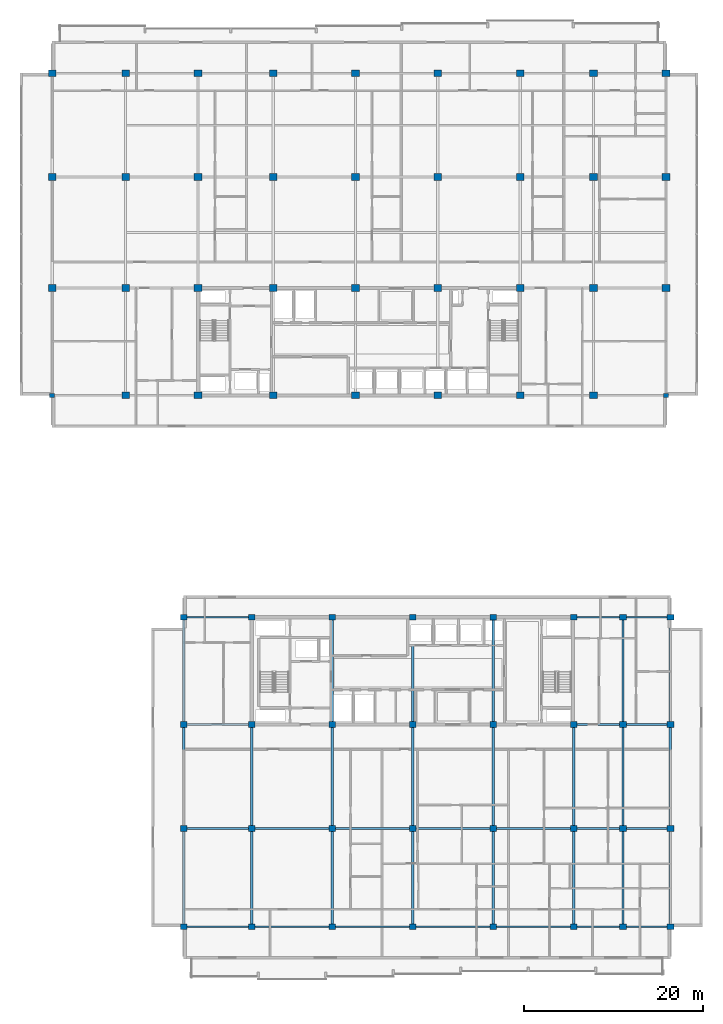
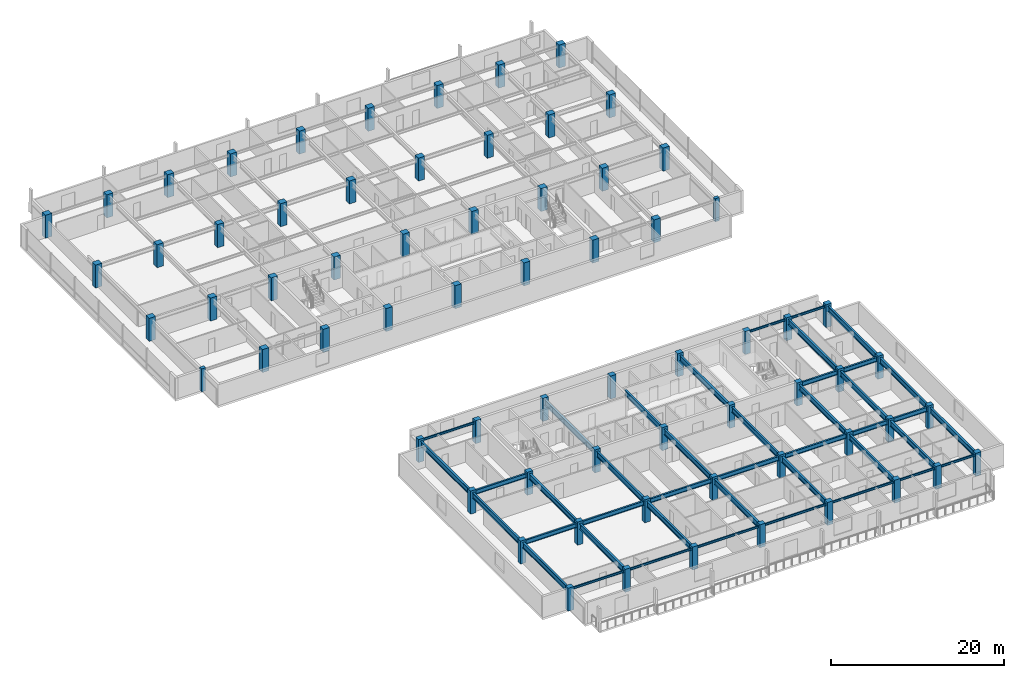
# One storey, part 1 of 32: 68 columns, 42 beams.
"""IFC4 building model written with IfcOpenShell, lengths in metres."""

from ifc_helpers import new_model, si_unit, direction, frame, origin, origin_2d, place, context, subcontext, project, spatial, rectangle, i_section, extrude, material, material_profile, profile_set, type_object, element, save


model = new_model("IFC4")

# Units and contexts
model_context = context("Model", 3, precision=1e-05, world=origin(), true_north=direction((0.0, 1.0)))
body_context = subcontext(model_context, "Body", "Model", "MODEL_VIEW")
ifc_project = project(units=[si_unit("LENGTHUNIT", "METRE"), si_unit("AREAUNIT", "SQUARE_METRE"), si_unit("VOLUMEUNIT", "CUBIC_METRE"), si_unit("PLANEANGLEUNIT", "RADIAN"), si_unit("MASSUNIT", "GRAM", prefix="KILO")], contexts=[model_context])

# Site, building, storey
site_placement = place(None, origin())
site = spatial("IfcSite", under=ifc_project, at=site_placement, CompositionType="ELEMENT")
building_placement = place(site_placement, origin())
building = spatial("IfcBuilding", under=site, at=building_placement, Name="Korimba Cascade Residences", CompositionType="ELEMENT")
storey_placement = place(building_placement, frame((0.0, 0.0, 178.35009765625)))
storey = spatial("IfcBuildingStorey", under=building, at=storey_placement, Name="L51", CompositionType="ELEMENT", Elevation=178.35009765625)

# Columns
ifc_material_1 = material(Name="Concrete C65/80", Category="concrete")
ifc_material_profile_1 = material_profile(ifc_material_1, rectangle(XDim=0.550048828125, YDim=0.449951171875, at=origin_2d()), Name="Concrete C65/80")
ifc_profile_set_1 = profile_set([ifc_material_profile_1], Name="Concrete C65/80")
column_type_1 = type_object("IfcColumnType", Name="COL-PIL-550", PredefinedType="PILASTER", material=ifc_profile_set_1)
for number, where, z_axis, x_axis, name in (
    (1, (59.800048828125, 55.199951171875, 0.0), (0.0, 0.0, 1.0), (1.0, 0.0, 0.0), "L51 Tower 1 Column 1.1"),
    (2, (128.39990234375, 55.199951171875, 0.0), (0.0, 0.0, 1.0), (1.0, 0.0, 0.0), "L51 Tower 1 Column 9.1"),
):
    element("IfcColumn", number, at=place(storey_placement, frame(where, z_axis=z_axis, x_axis=x_axis)), inside=storey, type_object=column_type_1, Name=name, PredefinedType="PILASTER", context=body_context, shape_type="SweptSolid", body=[
        extrude(rectangle(XDim=0.550048828125, YDim=0.449951171875, at=origin_2d()), origin(), (0.0, 0.0, 1.0), 3.25),
    ])
ifc_material_2 = material(Name="Concrete C50/60", Category="concrete")
ifc_material_profile_2 = material_profile(ifc_material_2, rectangle(XDim=0.75, YDim=0.64990234375, at=origin_2d()), Name="Concrete C50/60")
ifc_profile_set_2 = profile_set([ifc_material_profile_2], Name="Concrete C50/60")
column_type_2 = type_object("IfcColumnType", Name="COL-RC-750", PredefinedType="COLUMN", material=ifc_profile_set_2)
for number, where, z_axis, x_axis, name in (
    (3, (74.5, -4.199951171875, 0.0), (0.0, 0.0, 1.0), (1.0, 0.0, 0.0), "L51 Tower 2 Column 1.1"),
    (4, (74.5, 6.800048828125, 0.0), (0.0, 0.0, 1.0), (1.0, 0.0, 0.0), "L51 Tower 2 Column 1.2"),
    (5, (74.5, 18.39990234375, 0.0), (0.0, 0.0, 1.0), (1.0, 0.0, 0.0), "L51 Tower 2 Column 1.3"),
    (6, (74.5, 30.39990234375, 0.0), (0.0, 0.0, 1.0), (1.0, 0.0, 0.0), "L51 Tower 2 Column 1.4"),
    (7, (82.10009765625, -4.199951171875, 0.0), (0.0, 0.0, 1.0), (1.0, 0.0, 0.0), "L51 Tower 2 Column 2.1"),
    (8, (82.10009765625, 6.800048828125, 0.0), (0.0, 0.0, 1.0), (1.0, 0.0, 0.0), "L51 Tower 2 Column 2.2"),
    (9, (82.10009765625, 18.39990234375, 0.0), (0.0, 0.0, 1.0), (1.0, 0.0, 0.0), "L51 Tower 2 Column 2.3"),
    (10, (82.10009765625, 30.39990234375, 0.0), (0.0, 0.0, 1.0), (1.0, 0.0, 0.0), "L51 Tower 2 Column 2.4"),
    (11, (91.10009765625, -4.199951171875, 0.0), (0.0, 0.0, 1.0), (1.0, 0.0, 0.0), "L51 Tower 2 Column 3.1"),
    (12, (91.10009765625, 6.800048828125, 0.0), (0.0, 0.0, 1.0), (1.0, 0.0, 0.0), "L51 Tower 2 Column 3.2"),
    (13, (91.10009765625, 18.39990234375, 0.0), (0.0, 0.0, 1.0), (1.0, 0.0, 0.0), "L51 Tower 2 Column 3.3"),
    (14, (91.10009765625, 30.39990234375, 0.0), (0.0, 0.0, 1.0), (1.0, 0.0, 0.0), "L51 Tower 2 Column 3.4"),
    (15, (100.10009765625, -4.199951171875, 0.0), (0.0, 0.0, 1.0), (1.0, 0.0, 0.0), "L51 Tower 2 Column 4.1"),
    (16, (100.10009765625, 6.800048828125, 0.0), (0.0, 0.0, 1.0), (1.0, 0.0, 0.0), "L51 Tower 2 Column 4.2"),
    (17, (100.10009765625, 18.39990234375, 0.0), (0.0, 0.0, 1.0), (1.0, 0.0, 0.0), "L51 Tower 2 Column 4.3"),
    (18, (100.10009765625, 30.39990234375, 0.0), (0.0, 0.0, 1.0), (1.0, 0.0, 0.0), "L51 Tower 2 Column 4.4"),
    (19, (109.10009765625, -4.199951171875, 0.0), (0.0, 0.0, 1.0), (1.0, 0.0, 0.0), "L51 Tower 2 Column 5.1"),
    (20, (109.10009765625, 6.800048828125, 0.0), (0.0, 0.0, 1.0), (1.0, 0.0, 0.0), "L51 Tower 2 Column 5.2"),
    (21, (109.10009765625, 18.39990234375, 0.0), (0.0, 0.0, 1.0), (1.0, 0.0, 0.0), "L51 Tower 2 Column 5.3"),
    (22, (109.10009765625, 30.39990234375, 0.0), (0.0, 0.0, 1.0), (1.0, 0.0, 0.0), "L51 Tower 2 Column 5.4"),
    (23, (118.10009765625, -4.199951171875, 0.0), (0.0, 0.0, 1.0), (1.0, 0.0, 0.0), "L51 Tower 2 Column 6.1"),
    (24, (118.10009765625, 6.800048828125, 0.0), (0.0, 0.0, 1.0), (1.0, 0.0, 0.0), "L51 Tower 2 Column 6.2"),
    (25, (118.10009765625, 18.39990234375, 0.0), (0.0, 0.0, 1.0), (1.0, 0.0, 0.0), "L51 Tower 2 Column 6.3"),
    (26, (118.10009765625, 30.39990234375, 0.0), (0.0, 0.0, 1.0), (1.0, 0.0, 0.0), "L51 Tower 2 Column 6.4"),
    (27, (123.60009765625, -4.199951171875, 0.0), (0.0, 0.0, 1.0), (1.0, 0.0, 0.0), "L51 Tower 2 Column 7.1"),
    (28, (123.60009765625, 6.800048828125, 0.0), (0.0, 0.0, 1.0), (1.0, 0.0, 0.0), "L51 Tower 2 Column 7.2"),
    (29, (123.60009765625, 18.39990234375, 0.0), (0.0, 0.0, 1.0), (1.0, 0.0, 0.0), "L51 Tower 2 Column 7.3"),
    (30, (123.60009765625, 30.39990234375, 0.0), (0.0, 0.0, 1.0), (1.0, 0.0, 0.0), "L51 Tower 2 Column 7.4"),
    (31, (128.89990234375, -4.199951171875, 0.0), (0.0, 0.0, 1.0), (1.0, 0.0, 0.0), "L51 Tower 2 Column 8.1"),
    (32, (128.89990234375, 6.800048828125, 0.0), (0.0, 0.0, 1.0), (1.0, 0.0, 0.0), "L51 Tower 2 Column 8.2"),
    (33, (128.89990234375, 18.39990234375, 0.0), (0.0, 0.0, 1.0), (1.0, 0.0, 0.0), "L51 Tower 2 Column 8.3"),
    (34, (128.89990234375, 30.39990234375, 0.0), (0.0, 0.0, 1.0), (1.0, 0.0, 0.0), "L51 Tower 2 Column 8.4"),
):
    element("IfcColumn", number, at=place(storey_placement, frame(where, z_axis=z_axis, x_axis=x_axis)), inside=storey, type_object=column_type_2, Name=name, PredefinedType="COLUMN", context=body_context, shape_type="SweptSolid", body=[
        extrude(rectangle(XDim=0.75, YDim=0.64990234375, at=origin_2d()), origin(), (0.0, 0.0, 1.0), 3.25),
    ])
ifc_material_profile_3 = material_profile(ifc_material_1, rectangle(XDim=0.85009765625, YDim=0.75, at=origin_2d()), Name="Concrete C65/80")
ifc_profile_set_3 = profile_set([ifc_material_profile_3], Name="Concrete C65/80")
column_type_3 = type_object("IfcColumnType", Name="COL-RC-850", PredefinedType="COLUMN", material=ifc_profile_set_3)
for number, where, z_axis, x_axis, name in (
    (35, (59.800048828125, 67.199951171875, 0.0), (0.0, 0.0, 1.0), (1.0, 0.0, 0.0), "L51 Tower 1 Column 1.2"),
    (36, (59.800048828125, 79.60009765625, 0.0), (0.0, 0.0, 1.0), (1.0, 0.0, 0.0), "L51 Tower 1 Column 1.3"),
    (37, (59.800048828125, 91.199951171875, 0.0), (0.0, 0.0, 1.0), (1.0, 0.0, 0.0), "L51 Tower 1 Column 1.4"),
    (38, (68.0, 55.199951171875, 0.0), (0.0, 0.0, 1.0), (1.0, 0.0, 0.0), "L51 Tower 1 Column 2.1"),
    (39, (68.0, 67.199951171875, 0.0), (0.0, 0.0, 1.0), (1.0, 0.0, 0.0), "L51 Tower 1 Column 2.2"),
    (40, (68.0, 79.60009765625, 0.0), (0.0, 0.0, 1.0), (1.0, 0.0, 0.0), "L51 Tower 1 Column 2.3"),
    (41, (68.0, 91.199951171875, 0.0), (0.0, 0.0, 1.0), (1.0, 0.0, 0.0), "L51 Tower 1 Column 2.4"),
    (42, (76.10009765625, 55.199951171875, 0.0), (0.0, 0.0, 1.0), (1.0, 0.0, 0.0), "L51 Tower 1 Column 3.1"),
    (43, (76.10009765625, 67.199951171875, 0.0), (0.0, 0.0, 1.0), (1.0, 0.0, 0.0), "L51 Tower 1 Column 3.2"),
    (44, (76.10009765625, 79.60009765625, 0.0), (0.0, 0.0, 1.0), (1.0, 0.0, 0.0), "L51 Tower 1 Column 3.3"),
    (45, (76.10009765625, 91.199951171875, 0.0), (0.0, 0.0, 1.0), (1.0, 0.0, 0.0), "L51 Tower 1 Column 3.4"),
    (46, (84.5, 55.199951171875, 0.0), (0.0, 0.0, 1.0), (1.0, 0.0, 0.0), "L51 Tower 1 Column 4.1"),
    (47, (84.5, 67.199951171875, 0.0), (0.0, 0.0, 1.0), (1.0, 0.0, 0.0), "L51 Tower 1 Column 4.2"),
    (48, (84.5, 79.60009765625, 0.0), (0.0, 0.0, 1.0), (1.0, 0.0, 0.0), "L51 Tower 1 Column 4.3"),
    (49, (84.5, 91.199951171875, 0.0), (0.0, 0.0, 1.0), (1.0, 0.0, 0.0), "L51 Tower 1 Column 4.4"),
    (50, (93.699951171875, 55.199951171875, 0.0), (0.0, 0.0, 1.0), (1.0, 0.0, 0.0), "L51 Tower 1 Column 5.1"),
    (51, (93.699951171875, 67.199951171875, 0.0), (0.0, 0.0, 1.0), (1.0, 0.0, 0.0), "L51 Tower 1 Column 5.2"),
    (52, (93.699951171875, 79.60009765625, 0.0), (0.0, 0.0, 1.0), (1.0, 0.0, 0.0), "L51 Tower 1 Column 5.3"),
    (53, (93.699951171875, 91.199951171875, 0.0), (0.0, 0.0, 1.0), (1.0, 0.0, 0.0), "L51 Tower 1 Column 5.4"),
    (54, (102.89990234375, 55.199951171875, 0.0), (0.0, 0.0, 1.0), (1.0, 0.0, 0.0), "L51 Tower 1 Column 6.1"),
    (55, (102.89990234375, 67.199951171875, 0.0), (0.0, 0.0, 1.0), (1.0, 0.0, 0.0), "L51 Tower 1 Column 6.2"),
    (56, (102.89990234375, 79.60009765625, 0.0), (0.0, 0.0, 1.0), (1.0, 0.0, 0.0), "L51 Tower 1 Column 6.3"),
    (57, (102.89990234375, 91.199951171875, 0.0), (0.0, 0.0, 1.0), (1.0, 0.0, 0.0), "L51 Tower 1 Column 6.4"),
    (58, (112.10009765625, 55.199951171875, 0.0), (0.0, 0.0, 1.0), (1.0, 0.0, 0.0), "L51 Tower 1 Column 7.1"),
    (59, (112.10009765625, 67.199951171875, 0.0), (0.0, 0.0, 1.0), (1.0, 0.0, 0.0), "L51 Tower 1 Column 7.2"),
    (60, (112.10009765625, 79.60009765625, 0.0), (0.0, 0.0, 1.0), (1.0, 0.0, 0.0), "L51 Tower 1 Column 7.3"),
    (61, (112.10009765625, 91.199951171875, 0.0), (0.0, 0.0, 1.0), (1.0, 0.0, 0.0), "L51 Tower 1 Column 7.4"),
    (62, (120.300048828125, 55.199951171875, 0.0), (0.0, 0.0, 1.0), (1.0, 0.0, 0.0), "L51 Tower 1 Column 8.1"),
    (63, (120.300048828125, 67.199951171875, 0.0), (0.0, 0.0, 1.0), (1.0, 0.0, 0.0), "L51 Tower 1 Column 8.2"),
    (64, (120.300048828125, 79.60009765625, 0.0), (0.0, 0.0, 1.0), (1.0, 0.0, 0.0), "L51 Tower 1 Column 8.3"),
    (65, (120.300048828125, 91.199951171875, 0.0), (0.0, 0.0, 1.0), (1.0, 0.0, 0.0), "L51 Tower 1 Column 8.4"),
    (66, (128.39990234375, 67.199951171875, 0.0), (0.0, 0.0, 1.0), (1.0, 0.0, 0.0), "L51 Tower 1 Column 9.2"),
    (67, (128.39990234375, 79.60009765625, 0.0), (0.0, 0.0, 1.0), (1.0, 0.0, 0.0), "L51 Tower 1 Column 9.3"),
    (68, (128.39990234375, 91.199951171875, 0.0), (0.0, 0.0, 1.0), (1.0, 0.0, 0.0), "L51 Tower 1 Column 9.4"),
):
    element("IfcColumn", number, at=place(storey_placement, frame(where, z_axis=z_axis, x_axis=x_axis)), inside=storey, type_object=column_type_3, Name=name, PredefinedType="COLUMN", context=body_context, shape_type="SweptSolid", body=[
        extrude(rectangle(XDim=0.85009765625, YDim=0.75, at=origin_2d()), origin(), (0.0, 0.0, 1.0), 3.25),
    ])

# Beams
ifc_material_3 = material(Name="Steel S355", Category="steel")
ifc_material_profile_4 = material_profile(ifc_material_3, i_section(OverallWidth=0.165771484375, OverallDepth=0.306640625, WebThickness=0.006591796875, FlangeThickness=0.01171875, FilletRadius=0.0087890625, at=origin_2d()), Name="Steel S355")
ifc_profile_set_4 = profile_set([ifc_material_profile_4], Name="Steel S355")
beam_type_1 = type_object("IfcBeamType", Name="BM-STL-UB305", PredefinedType="SPANDREL", material=ifc_profile_set_4)
beam_1_placement = place(storey_placement, frame((74.875, -4.199951171875, 2.816650390625), z_axis=(1.0, 0.0, 0.0), x_axis=(0.0, 1.0, 0.0)))
element("IfcBeam", 69, at=beam_1_placement, inside=storey, type_object=beam_type_1, Name="L51 T2 E-W Girder Y1 Bay 1", PredefinedType="SPANDREL", context=body_context, shape_type="SweptSolid", body=[
    extrude(i_section(OverallWidth=0.165771484375, OverallDepth=0.306640625, WebThickness=0.006591796875, FlangeThickness=0.01171875, FilletRadius=0.0087890625, at=origin_2d()), origin(), (0.0, 0.0, 1.0), 6.85009765625),
])
for number, where, z_axis, x_axis, name in (
    (70, (82.47509765625, -4.199951171875, 2.816650390625), (1.0, 0.0, 0.0), (0.0, 1.0, 0.0), "L51 T2 E-W Girder Y1 Bay 2"),
    (71, (91.47509765625, -4.199951171875, 2.816650390625), (1.0, 0.0, 0.0), (0.0, 1.0, 0.0), "L51 T2 E-W Girder Y1 Bay 3"),
    (72, (100.47509765625, -4.199951171875, 2.816650390625), (1.0, 0.0, 0.0), (0.0, 1.0, 0.0), "L51 T2 E-W Girder Y1 Bay 4"),
    (73, (109.47509765625, -4.199951171875, 2.816650390625), (1.0, 0.0, 0.0), (0.0, 1.0, 0.0), "L51 T2 E-W Girder Y1 Bay 5"),
):
    element("IfcBeam", number, at=place(storey_placement, frame(where, z_axis=z_axis, x_axis=x_axis)), inside=storey, type_object=beam_type_1, Name=name, PredefinedType="SPANDREL", context=body_context, shape_type="SweptSolid", body=[
        extrude(i_section(OverallWidth=0.165771484375, OverallDepth=0.306640625, WebThickness=0.006591796875, FlangeThickness=0.01171875, FilletRadius=0.0087890625, at=origin_2d()), origin(), (0.0, 0.0, 1.0), 8.25),
    ])
beam_2_placement = place(storey_placement, frame((118.47509765625, -4.199951171875, 2.816650390625), z_axis=(1.0, 0.0, 0.0), x_axis=(0.0, 1.0, 0.0)))
element("IfcBeam", 74, at=beam_2_placement, inside=storey, type_object=beam_type_1, Name="L51 T2 E-W Girder Y1 Bay 6", PredefinedType="SPANDREL", context=body_context, shape_type="SweptSolid", body=[
    extrude(i_section(OverallWidth=0.165771484375, OverallDepth=0.306640625, WebThickness=0.006591796875, FlangeThickness=0.01171875, FilletRadius=0.0087890625, at=origin_2d()), origin(), (0.0, 0.0, 1.0), 4.75),
])
beam_3_placement = place(storey_placement, frame((123.97509765625, -4.199951171875, 2.816650390625), z_axis=(1.0, 0.0, 0.0), x_axis=(0.0, 1.0, 0.0)))
element("IfcBeam", 75, at=beam_3_placement, inside=storey, type_object=beam_type_1, Name="L51 T2 E-W Girder Y1 Bay 7", PredefinedType="SPANDREL", context=body_context, shape_type="SweptSolid", body=[
    extrude(i_section(OverallWidth=0.165771484375, OverallDepth=0.306640625, WebThickness=0.006591796875, FlangeThickness=0.01171875, FilletRadius=0.0087890625, at=origin_2d()), origin(), (0.0, 0.0, 1.0), 4.5498046875),
])
beam_4_placement = place(storey_placement, frame((74.875, 30.39990234375, 2.816650390625), z_axis=(1.0, 0.0, 0.0), x_axis=(0.0, 1.0, 0.0)))
element("IfcBeam", 76, at=beam_4_placement, inside=storey, type_object=beam_type_1, Name="L51 T2 E-W Girder Y4 Bay 1", PredefinedType="SPANDREL", context=body_context, shape_type="SweptSolid", body=[
    extrude(i_section(OverallWidth=0.165771484375, OverallDepth=0.306640625, WebThickness=0.006591796875, FlangeThickness=0.01171875, FilletRadius=0.0087890625, at=origin_2d()), origin(), (0.0, 0.0, 1.0), 6.85009765625),
])
beam_5_placement = place(storey_placement, frame((118.47509765625, 30.39990234375, 2.816650390625), z_axis=(1.0, 0.0, 0.0), x_axis=(0.0, 1.0, 0.0)))
element("IfcBeam", 77, at=beam_5_placement, inside=storey, type_object=beam_type_1, Name="L51 T2 E-W Girder Y4 Bay 6", PredefinedType="SPANDREL", context=body_context, shape_type="SweptSolid", body=[
    extrude(i_section(OverallWidth=0.165771484375, OverallDepth=0.306640625, WebThickness=0.006591796875, FlangeThickness=0.01171875, FilletRadius=0.0087890625, at=origin_2d()), origin(), (0.0, 0.0, 1.0), 4.75),
])
beam_6_placement = place(storey_placement, frame((123.97509765625, 30.39990234375, 2.816650390625), z_axis=(1.0, 0.0, 0.0), x_axis=(0.0, 1.0, 0.0)))
element("IfcBeam", 78, at=beam_6_placement, inside=storey, type_object=beam_type_1, Name="L51 T2 E-W Girder Y4 Bay 7", PredefinedType="SPANDREL", context=body_context, shape_type="SweptSolid", body=[
    extrude(i_section(OverallWidth=0.165771484375, OverallDepth=0.306640625, WebThickness=0.006591796875, FlangeThickness=0.01171875, FilletRadius=0.0087890625, at=origin_2d()), origin(), (0.0, 0.0, 1.0), 4.5498046875),
])
ifc_material_profile_5 = material_profile(ifc_material_3, i_section(OverallWidth=0.22900390625, OverallDepth=0.6123046875, WebThickness=0.011962890625, FlangeThickness=0.01953125, FilletRadius=0.0126953125, at=origin_2d()), Name="Steel S355")
ifc_profile_set_5 = profile_set([ifc_material_profile_5], Name="Steel S355")
beam_type_2 = type_object("IfcBeamType", Name="BM-STL-UB610B", PredefinedType="BEAM", material=ifc_profile_set_5)
beam_7_placement = place(storey_placement, frame((74.875, 6.800048828125, 2.663818359375), z_axis=(1.0, 0.0, 0.0), x_axis=(0.0, 1.0, 0.0)))
element("IfcBeam", 79, at=beam_7_placement, inside=storey, type_object=beam_type_2, Name="L51 T2 E-W Girder Y2 Bay 1", PredefinedType="BEAM", context=body_context, shape_type="SweptSolid", body=[
    extrude(i_section(OverallWidth=0.22900390625, OverallDepth=0.6123046875, WebThickness=0.011962890625, FlangeThickness=0.01953125, FilletRadius=0.0126953125, at=origin_2d()), origin(), (0.0, 0.0, 1.0), 6.85009765625),
])
for number, where, z_axis, x_axis, name in (
    (80, (82.47509765625, 6.800048828125, 2.663818359375), (1.0, 0.0, 0.0), (0.0, 1.0, 0.0), "L51 T2 E-W Girder Y2 Bay 2"),
    (81, (91.47509765625, 6.800048828125, 2.663818359375), (1.0, 0.0, 0.0), (0.0, 1.0, 0.0), "L51 T2 E-W Girder Y2 Bay 3"),
    (82, (100.47509765625, 6.800048828125, 2.663818359375), (1.0, 0.0, 0.0), (0.0, 1.0, 0.0), "L51 T2 E-W Girder Y2 Bay 4"),
    (83, (109.47509765625, 6.800048828125, 2.663818359375), (1.0, 0.0, 0.0), (0.0, 1.0, 0.0), "L51 T2 E-W Girder Y2 Bay 5"),
):
    element("IfcBeam", number, at=place(storey_placement, frame(where, z_axis=z_axis, x_axis=x_axis)), inside=storey, type_object=beam_type_2, Name=name, PredefinedType="BEAM", context=body_context, shape_type="SweptSolid", body=[
        extrude(i_section(OverallWidth=0.22900390625, OverallDepth=0.6123046875, WebThickness=0.011962890625, FlangeThickness=0.01953125, FilletRadius=0.0126953125, at=origin_2d()), origin(), (0.0, 0.0, 1.0), 8.25),
    ])
beam_8_placement = place(storey_placement, frame((118.47509765625, 6.800048828125, 2.663818359375), z_axis=(1.0, 0.0, 0.0), x_axis=(0.0, 1.0, 0.0)))
element("IfcBeam", 84, at=beam_8_placement, inside=storey, type_object=beam_type_2, Name="L51 T2 E-W Girder Y2 Bay 6", PredefinedType="BEAM", context=body_context, shape_type="SweptSolid", body=[
    extrude(i_section(OverallWidth=0.22900390625, OverallDepth=0.6123046875, WebThickness=0.011962890625, FlangeThickness=0.01953125, FilletRadius=0.0126953125, at=origin_2d()), origin(), (0.0, 0.0, 1.0), 4.75),
])
beam_9_placement = place(storey_placement, frame((123.97509765625, 6.800048828125, 2.663818359375), z_axis=(1.0, 0.0, 0.0), x_axis=(0.0, 1.0, 0.0)))
element("IfcBeam", 85, at=beam_9_placement, inside=storey, type_object=beam_type_2, Name="L51 T2 E-W Girder Y2 Bay 7", PredefinedType="BEAM", context=body_context, shape_type="SweptSolid", body=[
    extrude(i_section(OverallWidth=0.22900390625, OverallDepth=0.6123046875, WebThickness=0.011962890625, FlangeThickness=0.01953125, FilletRadius=0.0126953125, at=origin_2d()), origin(), (0.0, 0.0, 1.0), 4.5498046875),
])
beam_10_placement = place(storey_placement, frame((74.875, 18.39990234375, 2.663818359375), z_axis=(1.0, 0.0, 0.0), x_axis=(0.0, 1.0, 0.0)))
element("IfcBeam", 86, at=beam_10_placement, inside=storey, type_object=beam_type_2, Name="L51 T2 E-W Girder Y3 Bay 1", PredefinedType="BEAM", context=body_context, shape_type="SweptSolid", body=[
    extrude(i_section(OverallWidth=0.22900390625, OverallDepth=0.6123046875, WebThickness=0.011962890625, FlangeThickness=0.01953125, FilletRadius=0.0126953125, at=origin_2d()), origin(), (0.0, 0.0, 1.0), 6.85009765625),
])
beam_11_placement = place(storey_placement, frame((118.47509765625, 18.39990234375, 2.663818359375), z_axis=(1.0, 0.0, 0.0), x_axis=(0.0, 1.0, 0.0)))
element("IfcBeam", 87, at=beam_11_placement, inside=storey, type_object=beam_type_2, Name="L51 T2 E-W Girder Y3 Bay 6", PredefinedType="BEAM", context=body_context, shape_type="SweptSolid", body=[
    extrude(i_section(OverallWidth=0.22900390625, OverallDepth=0.6123046875, WebThickness=0.011962890625, FlangeThickness=0.01953125, FilletRadius=0.0126953125, at=origin_2d()), origin(), (0.0, 0.0, 1.0), 4.75),
])
beam_12_placement = place(storey_placement, frame((123.97509765625, 18.39990234375, 2.663818359375), z_axis=(1.0, 0.0, 0.0), x_axis=(0.0, 1.0, 0.0)))
element("IfcBeam", 88, at=beam_12_placement, inside=storey, type_object=beam_type_2, Name="L51 T2 E-W Girder Y3 Bay 7", PredefinedType="BEAM", context=body_context, shape_type="SweptSolid", body=[
    extrude(i_section(OverallWidth=0.22900390625, OverallDepth=0.6123046875, WebThickness=0.011962890625, FlangeThickness=0.01953125, FilletRadius=0.0126953125, at=origin_2d()), origin(), (0.0, 0.0, 1.0), 4.5498046875),
])
ifc_material_profile_6 = material_profile(ifc_material_3, i_section(OverallWidth=0.26806640625, OverallDepth=0.769775390625, WebThickness=0.015625, FlangeThickness=0.025390625, FilletRadius=0.0166015625, at=origin_2d()), Name="Steel S355")
ifc_profile_set_6 = profile_set([ifc_material_profile_6], Name="Steel S355")
beam_type_3 = type_object("IfcBeamType", Name="BM-STL-UB762", PredefinedType="BEAM", material=ifc_profile_set_6)
beam_13_placement = place(storey_placement, frame((74.5, -3.875, 2.5849609375), z_axis=(0.0, 1.0, 0.0), x_axis=(-1.0, 0.0, 0.0)))
element("IfcBeam", 89, at=beam_13_placement, inside=storey, type_object=beam_type_3, Name="L51 T2 N-S Girder X1 Seg 1", PredefinedType="BEAM", context=body_context, shape_type="SweptSolid", body=[
    extrude(i_section(OverallWidth=0.26806640625, OverallDepth=0.769775390625, WebThickness=0.015625, FlangeThickness=0.025390625, FilletRadius=0.0166015625, at=origin_2d()), origin(), (0.0, 0.0, 1.0), 10.35009765625),
])
beam_14_placement = place(storey_placement, frame((74.5, 7.125, 2.5849609375), z_axis=(0.0, 1.0, 0.0), x_axis=(-1.0, 0.0, 0.0)))
element("IfcBeam", 90, at=beam_14_placement, inside=storey, type_object=beam_type_3, Name="L51 T2 N-S Girder X1 Seg 2", PredefinedType="BEAM", context=body_context, shape_type="SweptSolid", body=[
    extrude(i_section(OverallWidth=0.26806640625, OverallDepth=0.769775390625, WebThickness=0.015625, FlangeThickness=0.025390625, FilletRadius=0.0166015625, at=origin_2d()), origin(), (0.0, 0.0, 1.0), 10.949951171875),
])
beam_15_placement = place(storey_placement, frame((74.5, 18.72509765625, 2.5849609375), z_axis=(0.0, 1.0, 0.0), x_axis=(-1.0, 0.0, 0.0)))
element("IfcBeam", 91, at=beam_15_placement, inside=storey, type_object=beam_type_3, Name="L51 T2 N-S Girder X1 Seg 3", PredefinedType="BEAM", context=body_context, shape_type="SweptSolid", body=[
    extrude(i_section(OverallWidth=0.26806640625, OverallDepth=0.769775390625, WebThickness=0.015625, FlangeThickness=0.025390625, FilletRadius=0.0166015625, at=origin_2d()), origin(), (0.0, 0.0, 1.0), 11.349853515625),
])
beam_16_placement = place(storey_placement, frame((82.10009765625, -3.875, 2.5849609375), z_axis=(0.0, 1.0, 0.0), x_axis=(-1.0, 0.0, 0.0)))
element("IfcBeam", 92, at=beam_16_placement, inside=storey, type_object=beam_type_3, Name="L51 T2 N-S Girder X2 Seg 1", PredefinedType="BEAM", context=body_context, shape_type="SweptSolid", body=[
    extrude(i_section(OverallWidth=0.26806640625, OverallDepth=0.769775390625, WebThickness=0.015625, FlangeThickness=0.025390625, FilletRadius=0.0166015625, at=origin_2d()), origin(), (0.0, 0.0, 1.0), 10.35009765625),
])
beam_17_placement = place(storey_placement, frame((82.10009765625, 7.125, 2.5849609375), z_axis=(0.0, 1.0, 0.0), x_axis=(-1.0, 0.0, 0.0)))
element("IfcBeam", 93, at=beam_17_placement, inside=storey, type_object=beam_type_3, Name="L51 T2 N-S Girder X2 Seg 2", PredefinedType="BEAM", context=body_context, shape_type="SweptSolid", body=[
    extrude(i_section(OverallWidth=0.26806640625, OverallDepth=0.769775390625, WebThickness=0.015625, FlangeThickness=0.025390625, FilletRadius=0.0166015625, at=origin_2d()), origin(), (0.0, 0.0, 1.0), 10.949951171875),
])
beam_18_placement = place(storey_placement, frame((91.10009765625, -3.875, 2.5849609375), z_axis=(0.0, 1.0, 0.0), x_axis=(-1.0, 0.0, 0.0)))
element("IfcBeam", 94, at=beam_18_placement, inside=storey, type_object=beam_type_3, Name="L51 T2 N-S Girder X3 Seg 1", PredefinedType="BEAM", context=body_context, shape_type="SweptSolid", body=[
    extrude(i_section(OverallWidth=0.26806640625, OverallDepth=0.769775390625, WebThickness=0.015625, FlangeThickness=0.025390625, FilletRadius=0.0166015625, at=origin_2d()), origin(), (0.0, 0.0, 1.0), 10.35009765625),
])
beam_19_placement = place(storey_placement, frame((91.10009765625, 7.125, 2.5849609375), z_axis=(0.0, 1.0, 0.0), x_axis=(-1.0, 0.0, 0.0)))
element("IfcBeam", 95, at=beam_19_placement, inside=storey, type_object=beam_type_3, Name="L51 T2 N-S Girder X3 Seg 2", PredefinedType="BEAM", context=body_context, shape_type="SweptSolid", body=[
    extrude(i_section(OverallWidth=0.26806640625, OverallDepth=0.769775390625, WebThickness=0.015625, FlangeThickness=0.025390625, FilletRadius=0.0166015625, at=origin_2d()), origin(), (0.0, 0.0, 1.0), 10.949951171875),
])
beam_20_placement = place(storey_placement, frame((91.10009765625, 18.72509765625, 2.5849609375), z_axis=(0.0, 1.0, 0.0), x_axis=(-1.0, 0.0, 0.0)))
element("IfcBeam", 96, at=beam_20_placement, inside=storey, type_object=beam_type_3, Name="L51 T2 N-S Girder X3 Seg 3", PredefinedType="BEAM", context=body_context, shape_type="SweptSolid", body=[
    extrude(i_section(OverallWidth=0.26806640625, OverallDepth=0.769775390625, WebThickness=0.015625, FlangeThickness=0.025390625, FilletRadius=0.0166015625, at=origin_2d()), origin(), (0.0, 0.0, 1.0), 11.349853515625),
])
beam_21_placement = place(storey_placement, frame((100.10009765625, -3.875, 2.5849609375), z_axis=(0.0, 1.0, 0.0), x_axis=(-1.0, 0.0, 0.0)))
element("IfcBeam", 97, at=beam_21_placement, inside=storey, type_object=beam_type_3, Name="L51 T2 N-S Girder X4 Seg 1", PredefinedType="BEAM", context=body_context, shape_type="SweptSolid", body=[
    extrude(i_section(OverallWidth=0.26806640625, OverallDepth=0.769775390625, WebThickness=0.015625, FlangeThickness=0.025390625, FilletRadius=0.0166015625, at=origin_2d()), origin(), (0.0, 0.0, 1.0), 10.35009765625),
])
beam_22_placement = place(storey_placement, frame((100.10009765625, 7.125, 2.5849609375), z_axis=(0.0, 1.0, 0.0), x_axis=(-1.0, 0.0, 0.0)))
element("IfcBeam", 98, at=beam_22_placement, inside=storey, type_object=beam_type_3, Name="L51 T2 N-S Girder X4 Seg 2", PredefinedType="BEAM", context=body_context, shape_type="SweptSolid", body=[
    extrude(i_section(OverallWidth=0.26806640625, OverallDepth=0.769775390625, WebThickness=0.015625, FlangeThickness=0.025390625, FilletRadius=0.0166015625, at=origin_2d()), origin(), (0.0, 0.0, 1.0), 10.949951171875),
])
beam_23_placement = place(storey_placement, frame((100.10009765625, 18.72509765625, 2.5849609375), z_axis=(0.0, 1.0, 0.0), x_axis=(-1.0, 0.0, 0.0)))
element("IfcBeam", 99, at=beam_23_placement, inside=storey, type_object=beam_type_3, Name="L51 T2 N-S Girder X4 Seg 3", PredefinedType="BEAM", context=body_context, shape_type="SweptSolid", body=[
    extrude(i_section(OverallWidth=0.26806640625, OverallDepth=0.769775390625, WebThickness=0.015625, FlangeThickness=0.025390625, FilletRadius=0.0166015625, at=origin_2d()), origin(), (0.0, 0.0, 1.0), 8.614990234375),
])
beam_24_placement = place(storey_placement, frame((109.10009765625, -3.875, 2.5849609375), z_axis=(0.0, 1.0, 0.0), x_axis=(-1.0, 0.0, 0.0)))
element("IfcBeam", 100, at=beam_24_placement, inside=storey, type_object=beam_type_3, Name="L51 T2 N-S Girder X5 Seg 1", PredefinedType="BEAM", context=body_context, shape_type="SweptSolid", body=[
    extrude(i_section(OverallWidth=0.26806640625, OverallDepth=0.769775390625, WebThickness=0.015625, FlangeThickness=0.025390625, FilletRadius=0.0166015625, at=origin_2d()), origin(), (0.0, 0.0, 1.0), 10.35009765625),
])
beam_25_placement = place(storey_placement, frame((109.10009765625, 7.125, 2.5849609375), z_axis=(0.0, 1.0, 0.0), x_axis=(-1.0, 0.0, 0.0)))
element("IfcBeam", 101, at=beam_25_placement, inside=storey, type_object=beam_type_3, Name="L51 T2 N-S Girder X5 Seg 2", PredefinedType="BEAM", context=body_context, shape_type="SweptSolid", body=[
    extrude(i_section(OverallWidth=0.26806640625, OverallDepth=0.769775390625, WebThickness=0.015625, FlangeThickness=0.025390625, FilletRadius=0.0166015625, at=origin_2d()), origin(), (0.0, 0.0, 1.0), 10.949951171875),
])
beam_26_placement = place(storey_placement, frame((109.10009765625, 18.72509765625, 2.5849609375), z_axis=(0.0, 1.0, 0.0), x_axis=(-1.0, 0.0, 0.0)))
element("IfcBeam", 102, at=beam_26_placement, inside=storey, type_object=beam_type_3, Name="L51 T2 N-S Girder X5 Seg 3", PredefinedType="BEAM", context=body_context, shape_type="SweptSolid", body=[
    extrude(i_section(OverallWidth=0.26806640625, OverallDepth=0.769775390625, WebThickness=0.015625, FlangeThickness=0.025390625, FilletRadius=0.0166015625, at=origin_2d()), origin(), (0.0, 0.0, 1.0), 11.349853515625),
])
beam_27_placement = place(storey_placement, frame((118.10009765625, -3.875, 2.5849609375), z_axis=(0.0, 1.0, 0.0), x_axis=(-1.0, 0.0, 0.0)))
element("IfcBeam", 103, at=beam_27_placement, inside=storey, type_object=beam_type_3, Name="L51 T2 N-S Girder X6 Seg 1", PredefinedType="BEAM", context=body_context, shape_type="SweptSolid", body=[
    extrude(i_section(OverallWidth=0.26806640625, OverallDepth=0.769775390625, WebThickness=0.015625, FlangeThickness=0.025390625, FilletRadius=0.0166015625, at=origin_2d()), origin(), (0.0, 0.0, 1.0), 10.35009765625),
])
beam_28_placement = place(storey_placement, frame((118.10009765625, 7.125, 2.5849609375), z_axis=(0.0, 1.0, 0.0), x_axis=(-1.0, 0.0, 0.0)))
element("IfcBeam", 104, at=beam_28_placement, inside=storey, type_object=beam_type_3, Name="L51 T2 N-S Girder X6 Seg 2", PredefinedType="BEAM", context=body_context, shape_type="SweptSolid", body=[
    extrude(i_section(OverallWidth=0.26806640625, OverallDepth=0.769775390625, WebThickness=0.015625, FlangeThickness=0.025390625, FilletRadius=0.0166015625, at=origin_2d()), origin(), (0.0, 0.0, 1.0), 10.949951171875),
])
beam_29_placement = place(storey_placement, frame((123.60009765625, -3.875, 2.5849609375), z_axis=(0.0, 1.0, 0.0), x_axis=(-1.0, 0.0, 0.0)))
element("IfcBeam", 105, at=beam_29_placement, inside=storey, type_object=beam_type_3, Name="L51 T2 N-S Girder X7 Seg 1", PredefinedType="BEAM", context=body_context, shape_type="SweptSolid", body=[
    extrude(i_section(OverallWidth=0.26806640625, OverallDepth=0.769775390625, WebThickness=0.015625, FlangeThickness=0.025390625, FilletRadius=0.0166015625, at=origin_2d()), origin(), (0.0, 0.0, 1.0), 10.35009765625),
])
beam_30_placement = place(storey_placement, frame((123.60009765625, 7.125, 2.5849609375), z_axis=(0.0, 1.0, 0.0), x_axis=(-1.0, 0.0, 0.0)))
element("IfcBeam", 106, at=beam_30_placement, inside=storey, type_object=beam_type_3, Name="L51 T2 N-S Girder X7 Seg 2", PredefinedType="BEAM", context=body_context, shape_type="SweptSolid", body=[
    extrude(i_section(OverallWidth=0.26806640625, OverallDepth=0.769775390625, WebThickness=0.015625, FlangeThickness=0.025390625, FilletRadius=0.0166015625, at=origin_2d()), origin(), (0.0, 0.0, 1.0), 10.949951171875),
])
beam_31_placement = place(storey_placement, frame((123.60009765625, 18.72509765625, 2.5849609375), z_axis=(0.0, 1.0, 0.0), x_axis=(-1.0, 0.0, 0.0)))
element("IfcBeam", 107, at=beam_31_placement, inside=storey, type_object=beam_type_3, Name="L51 T2 N-S Girder X7 Seg 3", PredefinedType="BEAM", context=body_context, shape_type="SweptSolid", body=[
    extrude(i_section(OverallWidth=0.26806640625, OverallDepth=0.769775390625, WebThickness=0.015625, FlangeThickness=0.025390625, FilletRadius=0.0166015625, at=origin_2d()), origin(), (0.0, 0.0, 1.0), 11.349853515625),
])
beam_32_placement = place(storey_placement, frame((128.89990234375, -3.875, 2.5849609375), z_axis=(0.0, 1.0, 0.0), x_axis=(-1.0, 0.0, 0.0)))
element("IfcBeam", 108, at=beam_32_placement, inside=storey, type_object=beam_type_3, Name="L51 T2 N-S Girder X8 Seg 1", PredefinedType="BEAM", context=body_context, shape_type="SweptSolid", body=[
    extrude(i_section(OverallWidth=0.26806640625, OverallDepth=0.769775390625, WebThickness=0.015625, FlangeThickness=0.025390625, FilletRadius=0.0166015625, at=origin_2d()), origin(), (0.0, 0.0, 1.0), 10.35009765625),
])
beam_33_placement = place(storey_placement, frame((128.89990234375, 7.125, 2.5849609375), z_axis=(0.0, 1.0, 0.0), x_axis=(-1.0, 0.0, 0.0)))
element("IfcBeam", 109, at=beam_33_placement, inside=storey, type_object=beam_type_3, Name="L51 T2 N-S Girder X8 Seg 2", PredefinedType="BEAM", context=body_context, shape_type="SweptSolid", body=[
    extrude(i_section(OverallWidth=0.26806640625, OverallDepth=0.769775390625, WebThickness=0.015625, FlangeThickness=0.025390625, FilletRadius=0.0166015625, at=origin_2d()), origin(), (0.0, 0.0, 1.0), 10.949951171875),
])
beam_34_placement = place(storey_placement, frame((128.89990234375, 18.72509765625, 2.5849609375), z_axis=(0.0, 1.0, 0.0), x_axis=(-1.0, 0.0, 0.0)))
element("IfcBeam", 110, at=beam_34_placement, inside=storey, type_object=beam_type_3, Name="L51 T2 N-S Girder X8 Seg 3", PredefinedType="BEAM", context=body_context, shape_type="SweptSolid", body=[
    extrude(i_section(OverallWidth=0.26806640625, OverallDepth=0.769775390625, WebThickness=0.015625, FlangeThickness=0.025390625, FilletRadius=0.0166015625, at=origin_2d()), origin(), (0.0, 0.0, 1.0), 11.349853515625),
])

save(model, "model.ifc")
